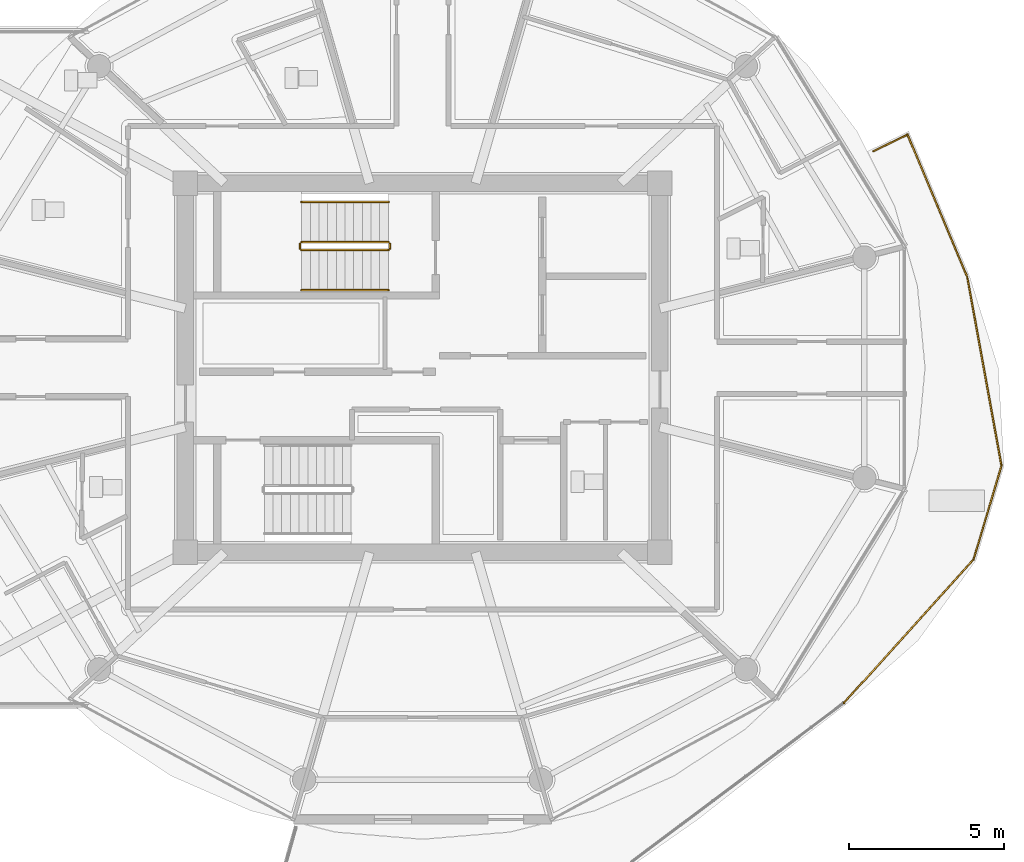
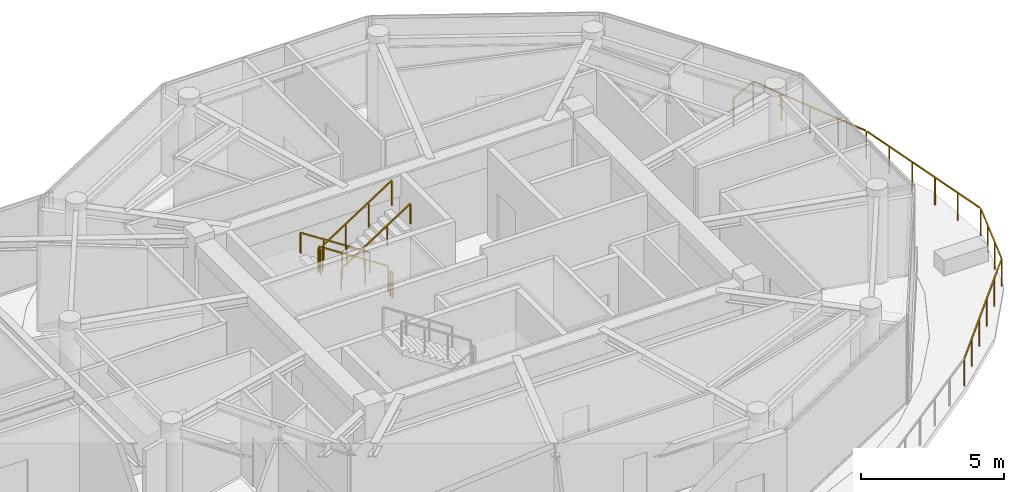
# One storey, part 28 of 31: 7 railings.
"""IFC4 building model written with IfcOpenShell, lengths in metres."""

from ifc_helpers import new_model, si_unit, direction, frame, origin, origin_2d, place, context, subcontext, project, spatial, rectangle, extrude, material, type_object, element, save


model = new_model("IFC4")

# Units and contexts
model_context = context("Model", 3, precision=1e-05, world=origin(), true_north=direction((0.0, 1.0)))
body_context = subcontext(model_context, "Body", "Model", "MODEL_VIEW")
ifc_project = project(units=[si_unit("LENGTHUNIT", "METRE"), si_unit("AREAUNIT", "SQUARE_METRE"), si_unit("VOLUMEUNIT", "CUBIC_METRE"), si_unit("PLANEANGLEUNIT", "RADIAN"), si_unit("MASSUNIT", "GRAM", prefix="KILO")], contexts=[model_context])

# Site, building, storey
site_placement = place(None, origin())
site = spatial("IfcSite", under=ifc_project, at=site_placement, CompositionType="ELEMENT")
building_placement = place(site_placement, origin())
building = spatial("IfcBuilding", under=site, at=building_placement, Name="Norrkilde Senior Care Towers", CompositionType="ELEMENT")
storey_placement = place(building_placement, frame((0.0, 0.0, 199.800048828125)))
storey = spatial("IfcBuildingStorey", under=building, at=storey_placement, Name="L62", CompositionType="ELEMENT", Elevation=199.800048828125)

# Railings
ifc_material_1 = material(Name="Stainless Steel", Category="steel")
railing_type_1 = type_object("IfcRailingType", Name="Sky Pool Laminated Balustrade 1200", PredefinedType="BALUSTRADE", material=ifc_material_1)
railing_1_placement = place(storey_placement, frame((42.53662109375, 6.984130859375, 0.0)))
element("IfcRailing", 1, at=railing_1_placement, inside=storey, type_object=railing_type_1, Name="L62 Perimeter Safety Guard 02", PredefinedType="BALUSTRADE", context=body_context, shape_type="SweptSolid", body=[
    extrude(rectangle(XDim=0.048095703125, YDim=0.048095703125, at=origin_2d()), frame((0.0, 0.0, 1.17578125), z_axis=(0.899207486461, 0.437522452329, 0.0), x_axis=(-0.437522452329, 0.899207486461, 0.0)), (0.0, 0.0, 1.0), 1.181640625),
    extrude(rectangle(XDim=0.048095703125, YDim=0.048095703125, at=origin_2d()), frame((1.115234375, 0.497314453125, 1.17578125), z_axis=(0.387138278755, -0.922021666298, 0.0), x_axis=(0.922021666298, 0.387138278755, 0.0)), (0.0, 0.0, 1.0), 4.89697265625),
    extrude(rectangle(XDim=0.048095703125, YDim=0.048095703125, at=origin_2d()), frame((3.0341796875, -4.095947265625, 1.17578125), z_axis=(0.178628308408, -0.983916626262, 0.0), x_axis=(0.983916626262, 0.178628308408, 0.0)), (0.0, 0.0, 1.0), 6.101318359375),
    extrude(rectangle(XDim=0.048095703125, YDim=0.048095703125, at=origin_2d()), frame((4.11962890625, -10.1787109375, 1.17578125), z_axis=(-0.284897233865, -0.958558066127, 0.0), x_axis=(0.958558066127, -0.284897233865, 0.0)), (0.0, 0.0, 1.0), 3.07275390625),
    extrude(rectangle(XDim=0.048095703125, YDim=0.048095703125, at=origin_2d()), frame((3.205322265625, -13.193359375, 1.17578125), z_axis=(-0.670427396222, -0.741975138664, 0.0), x_axis=(0.741975138664, -0.670427396222, 0.0)), (0.0, 0.0, 1.0), 6.19677734375),
    extrude(rectangle(XDim=0.0419921875, YDim=0.0419921875, at=origin_2d()), origin(), (0.0, 0.0, 1.0), 1.14990234375),
    extrude(rectangle(XDim=0.0419921875, YDim=0.0419921875, at=origin_2d()), frame((1.099365234375, 0.534912109375, 0.0)), (0.0, 0.0, 1.0), 1.14990234375),
    extrude(rectangle(XDim=0.0419921875, YDim=0.0419921875, at=origin_2d()), frame((1.581298828125, -0.61279296875, 0.0)), (0.0, 0.0, 1.0), 1.14990234375),
    extrude(rectangle(XDim=0.0419921875, YDim=0.0419921875, at=origin_2d()), frame((2.06298828125, -1.76025390625, 0.0)), (0.0, 0.0, 1.0), 1.14990234375),
    extrude(rectangle(XDim=0.0419921875, YDim=0.0419921875, at=origin_2d()), frame((2.544921875, -2.907958984375, 0.0)), (0.0, 0.0, 1.0), 1.14990234375),
    extrude(rectangle(XDim=0.0419921875, YDim=0.0419921875, at=origin_2d()), frame((3.02685546875, -4.0556640625, 0.0)), (0.0, 0.0, 1.0), 1.14990234375),
    extrude(rectangle(XDim=0.0419921875, YDim=0.0419921875, at=origin_2d()), frame((3.247802734375, -5.2724609375, 0.0)), (0.0, 0.0, 1.0), 1.14990234375),
    extrude(rectangle(XDim=0.0419921875, YDim=0.0419921875, at=origin_2d()), frame((3.46875, -6.4892578125, 0.0)), (0.0, 0.0, 1.0), 1.14990234375),
    extrude(rectangle(XDim=0.0419921875, YDim=0.0419921875, at=origin_2d()), frame((3.689453125, -7.705810546875, 0.0)), (0.0, 0.0, 1.0), 1.14990234375),
    extrude(rectangle(XDim=0.0419921875, YDim=0.0419921875, at=origin_2d()), frame((3.910400390625, -8.922607421875, 0.0)), (0.0, 0.0, 1.0), 1.14990234375),
    extrude(rectangle(XDim=0.0419921875, YDim=0.0419921875, at=origin_2d()), frame((4.13134765625, -10.139404296875, 0.0)), (0.0, 0.0, 1.0), 1.14990234375),
    extrude(rectangle(XDim=0.0419921875, YDim=0.0419921875, at=origin_2d()), frame((3.831787109375, -11.147216796875, 0.0)), (0.0, 0.0, 1.0), 1.14990234375),
    extrude(rectangle(XDim=0.0419921875, YDim=0.0419921875, at=origin_2d()), frame((3.5322265625, -12.1552734375, 0.0)), (0.0, 0.0, 1.0), 1.14990234375),
    extrude(rectangle(XDim=0.0419921875, YDim=0.0419921875, at=origin_2d()), frame((3.232666015625, -13.1630859375, 0.0)), (0.0, 0.0, 1.0), 1.14990234375),
    extrude(rectangle(XDim=0.0419921875, YDim=0.0419921875, at=origin_2d()), frame((2.396240234375, -14.088623046875, 0.0)), (0.0, 0.0, 1.0), 1.14990234375),
    extrude(rectangle(XDim=0.0419921875, YDim=0.0419921875, at=origin_2d()), frame((1.559814453125, -15.014404296875, 0.0)), (0.0, 0.0, 1.0), 1.14990234375),
    extrude(rectangle(XDim=0.0419921875, YDim=0.0419921875, at=origin_2d()), frame((0.7236328125, -15.93994140625, 0.0)), (0.0, 0.0, 1.0), 1.14990234375),
    extrude(rectangle(XDim=0.0419921875, YDim=0.0419921875, at=origin_2d()), frame((-0.11279296875, -16.86572265625, 0.0)), (0.0, 0.0, 1.0), 1.14990234375),
    extrude(rectangle(XDim=0.0419921875, YDim=0.0419921875, at=origin_2d()), frame((-0.94921875, -17.791259765625, 0.0)), (0.0, 0.0, 1.0), 1.14990234375),
])
railing_type_2 = type_object("IfcRailingType", Name="Stair and Terrace Guardrail 1100", PredefinedType="GUARDRAIL", material=ifc_material_1)
railing_2_placement = place(storey_placement, frame((26.89990234375, 4.050048828125, 0.181884765625)))
element("IfcRailing", 2, at=railing_2_placement, inside=storey, type_object=railing_type_2, Name="L62 ST-E1 stair guard 1", PredefinedType="GUARDRAIL", context=body_context, shape_type="SweptSolid", body=[
    extrude(rectangle(XDim=0.048095703125, YDim=0.048095703125, at=origin_2d()), frame((0.0, 0.0, 1.076171875), z_axis=(-0.83868413941, 0.0, 0.544618136222), x_axis=(0.0, -1.0, 0.0)), (0.0, 0.0, 1.0), 3.33837890625),
    extrude(rectangle(XDim=0.0419921875, YDim=0.0419921875, at=origin_2d()), origin(), (0.0, 0.0, 1.0), 1.050048828125),
    extrude(rectangle(XDim=0.0419921875, YDim=0.0419921875, at=origin_2d()), frame((-0.933349609375, 0.0, 0.60595703125)), (0.0, 0.0, 1.0), 1.050048828125),
    extrude(rectangle(XDim=0.0419921875, YDim=0.0419921875, at=origin_2d()), frame((-1.866455078125, 0.0, 1.212158203125)), (0.0, 0.0, 1.0), 1.050048828125),
    extrude(rectangle(XDim=0.0419921875, YDim=0.0419921875, at=origin_2d()), frame((-2.7998046875, 0.0, 1.818115234375)), (0.0, 0.0, 1.0), 1.050048828125),
])
railing_3_placement = place(storey_placement, frame((24.050048828125, 4.0, 2.0)))
element("IfcRailing", 3, at=railing_3_placement, inside=storey, type_object=railing_type_2, Name="L62 ST-E1 stair guard 2", PredefinedType="GUARDRAIL", context=body_context, shape_type="SweptSolid", body=[
    extrude(rectangle(XDim=0.048095703125, YDim=0.048095703125, at=origin_2d()), frame((0.0, 0.0, 1.076171875), z_axis=(0.0, -1.0, 0.0), x_axis=(1.0, 0.0, 0.0)), (0.0, 0.0, 1.0), 0.14990234375),
    extrude(rectangle(XDim=0.0419921875, YDim=0.0419921875, at=origin_2d()), origin(), (0.0, 0.0, 1.0), 1.050048828125),
    extrude(rectangle(XDim=0.0419921875, YDim=0.0419921875, at=origin_2d()), frame((0.0, -0.14990234375, 0.0)), (0.0, 0.0, 1.0), 1.050048828125),
])
railing_4_placement = place(storey_placement, frame((24.10009765625, 3.800048828125, 2.181884765625)))
element("IfcRailing", 4, at=railing_4_placement, inside=storey, type_object=railing_type_2, Name="L62 ST-E1 stair guard 3", PredefinedType="GUARDRAIL", context=body_context, shape_type="SweptSolid", body=[
    extrude(rectangle(XDim=0.048095703125, YDim=0.048095703125, at=origin_2d()), frame((0.0, 0.0, 1.076171875), z_axis=(0.83868413941, 0.0, 0.544618136222), x_axis=(0.0, 1.0, 0.0)), (0.0, 0.0, 1.0), 3.33837890625),
    extrude(rectangle(XDim=0.0419921875, YDim=0.0419921875, at=origin_2d()), origin(), (0.0, 0.0, 1.0), 1.050048828125),
    extrude(rectangle(XDim=0.0419921875, YDim=0.0419921875, at=origin_2d()), frame((0.933349609375, 0.0, 0.60595703125)), (0.0, 0.0, 1.0), 1.050048828125),
    extrude(rectangle(XDim=0.0419921875, YDim=0.0419921875, at=origin_2d()), frame((1.866455078125, 0.0, 1.212158203125)), (0.0, 0.0, 1.0), 1.050048828125),
    extrude(rectangle(XDim=0.0419921875, YDim=0.0419921875, at=origin_2d()), frame((2.7998046875, 0.0, 1.818115234375)), (0.0, 0.0, 1.0), 1.050048828125),
])
railing_5_placement = place(storey_placement, frame((26.949951171875, 4.0, 0.0)))
element("IfcRailing", 5, at=railing_5_placement, inside=storey, type_object=railing_type_2, Name="L62 ST-E1 stair guard 4", PredefinedType="GUARDRAIL", context=body_context, shape_type="SweptSolid", body=[
    extrude(rectangle(XDim=0.048095703125, YDim=0.048095703125, at=origin_2d()), frame((0.0, 0.0, 1.076171875), z_axis=(0.0, -1.0, 0.0), x_axis=(1.0, 0.0, 0.0)), (0.0, 0.0, 1.0), 0.14990234375),
    extrude(rectangle(XDim=0.0419921875, YDim=0.0419921875, at=origin_2d()), origin(), (0.0, 0.0, 1.0), 1.050048828125),
    extrude(rectangle(XDim=0.0419921875, YDim=0.0419921875, at=origin_2d()), frame((0.0, -0.14990234375, 0.0)), (0.0, 0.0, 1.0), 1.050048828125),
])
ifc_material_2 = material(Name="Nordic Ash Timber", Category="wood")
railing_type_3 = type_object("IfcRailingType", Name="Wall and Stair Handrail 900", PredefinedType="HANDRAIL", material=ifc_material_2)
railing_6_placement = place(storey_placement, frame((26.89990234375, 5.35009765625, 0.181884765625)))
element("IfcRailing", 6, at=railing_6_placement, inside=storey, type_object=railing_type_3, Name="L62 ST-E1 stair handrail 1", PredefinedType="HANDRAIL", context=body_context, shape_type="SweptSolid", body=[
    extrude(rectangle(XDim=0.048095703125, YDim=0.048095703125, at=origin_2d()), frame((0.0, 0.0, 0.8759765625), z_axis=(-0.83868413941, 0.0, 0.544618136222), x_axis=(0.0, -1.0, 0.0)), (0.0, 0.0, 1.0), 3.33837890625),
    extrude(rectangle(XDim=0.0419921875, YDim=0.0419921875, at=origin_2d()), origin(), (0.0, 0.0, 1.0), 0.849853515625),
    extrude(rectangle(XDim=0.0419921875, YDim=0.0419921875, at=origin_2d()), frame((-0.933349609375, 0.0, 0.60595703125)), (0.0, 0.0, 1.0), 0.849853515625),
    extrude(rectangle(XDim=0.0419921875, YDim=0.0419921875, at=origin_2d()), frame((-1.866455078125, 0.0, 1.212158203125)), (0.0, 0.0, 1.0), 0.849853515625),
    extrude(rectangle(XDim=0.0419921875, YDim=0.0419921875, at=origin_2d()), frame((-2.7998046875, 0.0, 1.818115234375)), (0.0, 0.0, 1.0), 0.849853515625),
])
railing_7_placement = place(storey_placement, frame((24.10009765625, 2.5, 2.181884765625)))
element("IfcRailing", 7, at=railing_7_placement, inside=storey, type_object=railing_type_3, Name="L62 ST-E1 stair handrail 2", PredefinedType="HANDRAIL", context=body_context, shape_type="SweptSolid", body=[
    extrude(rectangle(XDim=0.048095703125, YDim=0.048095703125, at=origin_2d()), frame((0.0, 0.0, 0.8759765625), z_axis=(0.83868413941, 0.0, 0.544618136222), x_axis=(0.0, 1.0, 0.0)), (0.0, 0.0, 1.0), 3.33837890625),
    extrude(rectangle(XDim=0.0419921875, YDim=0.0419921875, at=origin_2d()), origin(), (0.0, 0.0, 1.0), 0.849853515625),
    extrude(rectangle(XDim=0.0419921875, YDim=0.0419921875, at=origin_2d()), frame((0.933349609375, 0.0, 0.60595703125)), (0.0, 0.0, 1.0), 0.849853515625),
    extrude(rectangle(XDim=0.0419921875, YDim=0.0419921875, at=origin_2d()), frame((1.866455078125, 0.0, 1.212158203125)), (0.0, 0.0, 1.0), 0.849853515625),
    extrude(rectangle(XDim=0.0419921875, YDim=0.0419921875, at=origin_2d()), frame((2.7998046875, 0.0, 1.818115234375)), (0.0, 0.0, 1.0), 0.849853515625),
])

save(model, "model.ifc")
